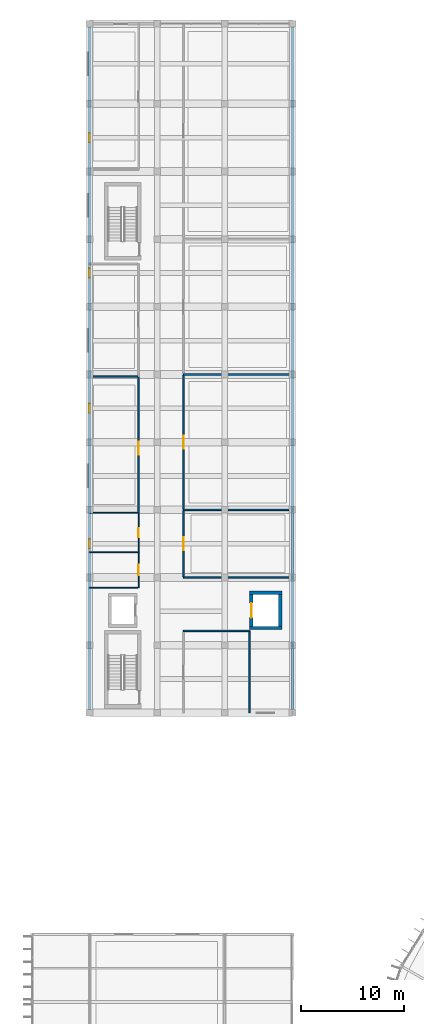
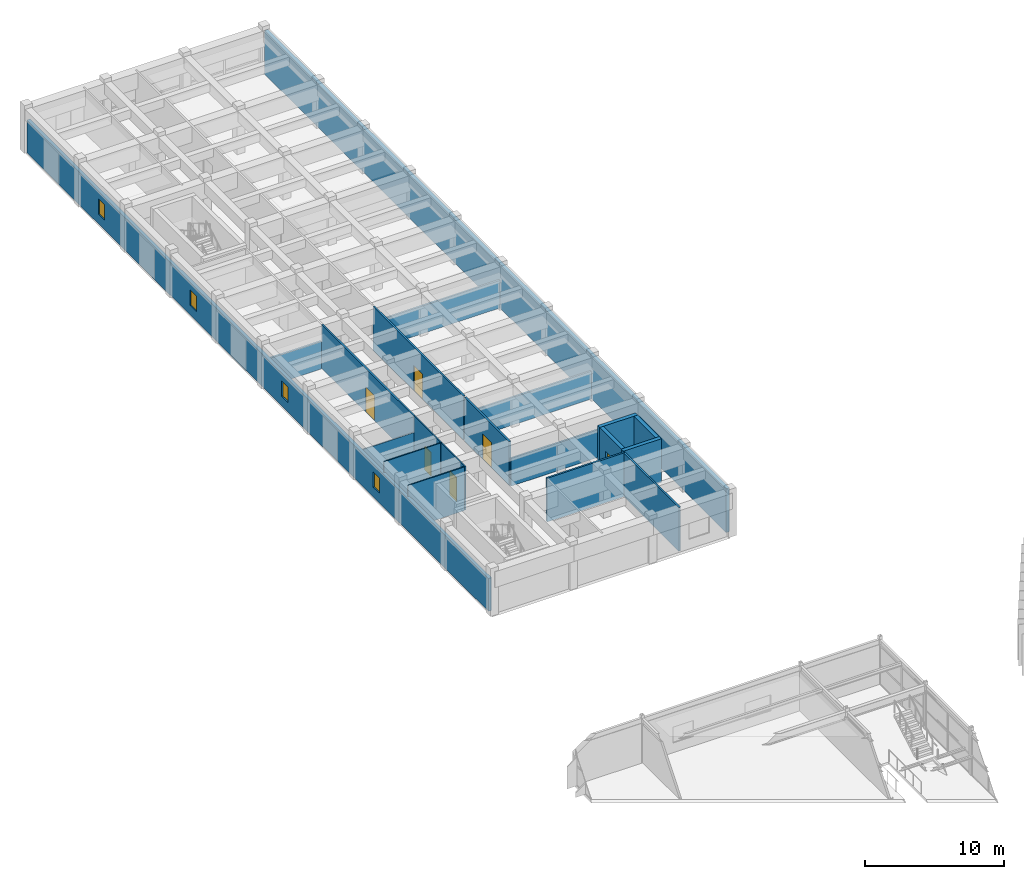
# One storey, part 128 of 147: 20 walls, 6 doors, 4 windows, 10 openings.
"""IFC4 building model written with IfcOpenShell, lengths in metres."""

from ifc_helpers import new_model, si_unit, direction, frame, frame_2d, origin, place, context, subcontext, project, spatial, rectangle, extrude, material, layer, layer_set, type_object, element, fill, save


model = new_model("IFC4")

# Units and contexts
model_context = context("Model", 3, precision=1e-05, world=origin(), true_north=direction((0.0, 1.0)))
body_context = subcontext(model_context, "Body", "Model", "MODEL_VIEW")
ifc_project = project(units=[si_unit("LENGTHUNIT", "METRE"), si_unit("AREAUNIT", "SQUARE_METRE"), si_unit("VOLUMEUNIT", "CUBIC_METRE"), si_unit("PLANEANGLEUNIT", "RADIAN"), si_unit("MASSUNIT", "GRAM", prefix="KILO")], contexts=[model_context])

# Site, building, storey
site_placement = place(None, origin())
site = spatial("IfcSite", under=ifc_project, at=site_placement, CompositionType="ELEMENT")
building_placement = place(site_placement, origin())
building = spatial("IfcBuilding", under=site, at=building_placement, Name="Karori Crest Natural Sciences Institute", CompositionType="ELEMENT")
storey_placement = place(building_placement, frame((0.0, 0.0, 9.10009765625)))
storey = spatial("IfcBuildingStorey", under=building, at=storey_placement, Name="L02", CompositionType="ELEMENT", Elevation=9.10009765625)

# Walls
ifc_material_1 = material(Name="Concrete 50 MPa", Category="concrete")
ifc_layer_1 = layer(ifc_material_1, 0.320068359375, Name="Concrete 50 MPa")
ifc_layer_set_1 = layer_set([ifc_layer_1], Name="Concrete 50 MPa")
wall_type_1 = type_object("IfcWallType", Name="IWT-03", PredefinedType="SHEAR", material=ifc_layer_set_1)
for number, where, z_axis, x_axis, name in (
    (1, (23.02001953125, 103.280029296875, 0.0), (0.0, 0.0, 1.0), (1.0, 0.0, 0.0), "Shear wall IW-0531"),
    (2, (23.02001953125, 106.719970703125, 0.0), (0.0, 0.0, 1.0), (1.0, 0.0, 0.0), "Shear wall IW-0532"),
):
    element("IfcWall", number, at=place(storey_placement, frame(where, z_axis=z_axis, x_axis=x_axis)), inside=storey, type_object=wall_type_1, Name=name, PredefinedType="SHEAR", context=body_context, shape_type="SweptSolid", body=[
        extrude(rectangle(XDim=3.159912109375, YDim=0.320068359375, at=frame_2d((1.580078125, 0.0))), origin(), (0.0, 0.0, 1.0), 3.849853515625),
    ])

# Wall, opening, door
wall_1_placement = place(storey_placement, frame((23.179931640625, 103.44189453125, 0.0), z_axis=(0.0, 0.0, 1.0), x_axis=(0.0, 1.0, 0.0)))
wall_1 = element("IfcWall", 3, at=wall_1_placement, inside=storey, type_object=wall_type_1, Name="Shear wall IW-0533", PredefinedType="SHEAR", context=body_context, shape_type="SweptSolid", body=[
    extrude(rectangle(XDim=3.1162109375, YDim=0.320068359375, at=frame_2d((1.55810546875, 0.0))), origin(), (0.0, 0.0, 1.0), 3.849853515625),
])
opening_1_placement = place(wall_1_placement, frame((0.85791015625, 0.0, 0.0)))
opening_1 = element("IfcOpeningElement", 4, at=opening_1_placement, cuts=wall_1, Name="Opening LD-0059", PredefinedType="OPENING", context=body_context, shape_type="SweptSolid", body=[
    extrude(rectangle(XDim=1.39990234375, YDim=2.25, at=frame_2d((0.699951171875, 1.125))), frame((0.0, 0.169921875, 0.0), z_axis=(0.0, -1.0, 0.0), x_axis=(1.0, 0.0, 0.0)), (0.0, 0.0, 1.0), 0.340087890625),
])
ifc_material_2 = material(Name="Stainless steel 316 and fire-rated timber", Category="steel")
door_type_1 = type_object("IfcDoorType", Name="LDT-03", OperationType="DOUBLE_DOOR_SLIDING", PredefinedType="DOOR", material=ifc_material_2)
door_1_placement = place(opening_1_placement, origin())
door_1 = element("IfcDoor", 5, at=door_1_placement, inside=storey, type_object=door_type_1, Name="Lift LG-01 landing door LD-0059", OperationType="DOUBLE_DOOR_SLIDING", OverallHeight=2.25, OverallWidth=1.39990234375, PredefinedType="DOOR", context=body_context, shape_type="SweptSolid", body=[
    extrude(rectangle(XDim=1.39990234375, YDim=2.25, at=frame_2d((0.699951171875, 1.125))), frame((0.0, 0.02490234375, 0.0), z_axis=(0.0, -1.0, 0.0), x_axis=(1.0, 0.0, 0.0)), (0.0, 0.0, 1.0), 0.050048828125),
])
fill(opening_1, door_1)

# Walls
wall_2_placement = place(storey_placement, frame((26.02001953125, 103.44189453125, 0.0), z_axis=(0.0, 0.0, 1.0), x_axis=(0.0, 1.0, 0.0)))
element("IfcWall", 6, at=wall_2_placement, inside=storey, type_object=wall_type_1, Name="Shear wall IW-0534", PredefinedType="SHEAR", context=body_context, shape_type="SweptSolid", body=[
    extrude(rectangle(XDim=3.1162109375, YDim=0.320068359375, at=frame_2d((1.55810546875, 0.0))), origin(), (0.0, 0.0, 1.0), 3.849853515625),
])
ifc_material_3 = material(Name="Clean-room insulated fire partition")
ifc_layer_2 = layer(ifc_material_3, 0.14990234375, Name="Clean-room insulated fire partition")
ifc_layer_set_2 = layer_set([ifc_layer_2], Name="Clean-room insulated fire partition")
wall_type_2 = type_object("IfcWallType", Name="IWT-06", PredefinedType="PARTITIONING", material=ifc_layer_set_2)
wall_3_placement = place(storey_placement, frame((7.39990234375, 127.800048828125, 0.0), z_axis=(0.0, 0.0, 1.0), x_axis=(1.0, 0.0, 0.0)))
element("IfcWall", 7, at=wall_3_placement, inside=storey, type_object=wall_type_2, Name="Partition wall IW-0963", PredefinedType="PARTITIONING", context=body_context, shape_type="SweptSolid", body=[
    extrude(rectangle(XDim=4.697998046875, YDim=0.14990234375, at=frame_2d((2.34912109375, 0.0))), origin(), (0.0, 0.0, 1.0), 2.434814453125),
])

# Wall, opening, door
wall_4_placement = place(storey_placement, frame((12.199951171875, 114.501953125, 0.0), z_axis=(0.0, 0.0, 1.0), x_axis=(0.0, 1.0, 0.0)))
wall_4 = element("IfcWall", 8, at=wall_4_placement, inside=storey, type_object=wall_type_2, Name="Partition wall IW-0964", PredefinedType="PARTITIONING", context=body_context, shape_type="SweptSolid", body=[
    extrude(rectangle(XDim=13.298095703125, YDim=0.14990234375, at=frame_2d((6.64892578125, 0.0))), origin(), (0.0, 0.0, 1.0), 3.849853515625),
])
opening_2_placement = place(wall_4_placement, frame((5.64892578125, 0.0, 0.0)))
opening_2 = element("IfcOpeningElement", 9, at=opening_2_placement, cuts=wall_4, Name="Opening ID-0254", PredefinedType="OPENING", context=body_context, shape_type="SweptSolid", body=[
    extrude(rectangle(XDim=1.300048828125, YDim=2.199951171875, at=frame_2d((0.64990234375, 1.10009765625))), frame((0.0, 0.0849609375, 0.0), z_axis=(0.0, -1.0, 0.0), x_axis=(1.0, 0.0, 0.0)), (0.0, 0.0, 1.0), 0.169921875),
])
door_type_2 = type_object("IfcDoorType", Name="IDT-04", OperationType="NOTDEFINED", PredefinedType="DOOR", material=ifc_material_2)
door_2_placement = place(opening_2_placement, origin())
door_2 = element("IfcDoor", 10, at=door_2_placement, inside=storey, type_object=door_type_2, Name="Clean-Room Gowning Airlock Suite door ID-0254", OperationType="SINGLE_SWING_RIGHT", OverallHeight=2.199951171875, OverallWidth=1.300048828125, PredefinedType="DOOR", context=body_context, shape_type="SweptSolid", body=[
    extrude(rectangle(XDim=1.300048828125, YDim=2.199951171875, at=frame_2d((0.64990234375, 1.10009765625))), frame((0.0, 0.02490234375, 0.0), z_axis=(0.0, -1.0, 0.0), x_axis=(1.0, 0.0, 0.0)), (0.0, 0.0, 1.0), 0.050048828125),
])
fill(opening_2, door_2)

# Walls
wall_5_placement = place(storey_placement, frame((16.550048828125, 103.0, 0.0), z_axis=(0.0, 0.0, 1.0), x_axis=(1.0, 0.0, 0.0)))
element("IfcWall", 11, at=wall_5_placement, inside=storey, type_object=wall_type_2, Name="Partition wall IW-0969", PredefinedType="PARTITIONING", context=body_context, shape_type="SweptSolid", body=[
    extrude(rectangle(XDim=6.449951171875, YDim=0.14990234375, at=frame_2d((3.22509765625, 0.0))), origin(), (0.0, 0.0, 1.0), 3.849853515625),
])
wall_6_placement = place(storey_placement, frame((23.0, 95.0, 0.0), z_axis=(0.0, 0.0, 1.0), x_axis=(0.0, 1.0, 0.0)))
element("IfcWall", 12, at=wall_6_placement, inside=storey, type_object=wall_type_2, Name="Partition wall IW-0971", PredefinedType="PARTITIONING", context=body_context, shape_type="SweptSolid", body=[
    extrude(rectangle(XDim=8.0, YDim=0.14990234375, at=frame_2d((4.0, 0.0))), origin(), (0.0, 0.0, 1.0), 3.849853515625),
])
for number, where, z_axis, x_axis, name in (
    (13, (16.550048828125, 108.199951171875, 0.0), (0.0, 0.0, 1.0), (1.0, 0.0, 0.0), "Partition wall IW-0972"),
    (14, (16.550048828125, 114.800048828125, 0.0), (0.0, 0.0, 1.0), (1.0, 0.0, 0.0), "Partition wall IW-0973"),
):
    element("IfcWall", number, at=place(storey_placement, frame(where, z_axis=z_axis, x_axis=x_axis)), inside=storey, type_object=wall_type_2, Name=name, PredefinedType="PARTITIONING", context=body_context, shape_type="SweptSolid", body=[
        extrude(rectangle(XDim=10.508056640625, YDim=0.14990234375, at=frame_2d((5.25390625, 0.0))), origin(), (0.0, 0.0, 1.0), 2.434814453125),
    ])

# Wall, opening, door
wall_7_placement = place(storey_placement, frame((16.550048828125, 108.277099609375, 0.0), z_axis=(0.0, 0.0, 1.0), x_axis=(0.0, 1.0, 0.0)))
wall_7 = element("IfcWall", 15, at=wall_7_placement, inside=storey, type_object=wall_type_2, Name="Partition wall IW-0974", PredefinedType="PARTITIONING", context=body_context, shape_type="SweptSolid", body=[
    extrude(rectangle(XDim=6.44580078125, YDim=0.14990234375, at=frame_2d((3.222900390625, 0.0))), origin(), (0.0, 0.0, 1.0), 3.849853515625),
])
opening_3_placement = place(wall_7_placement, frame((2.572998046875, 0.0, 0.0)))
opening_3 = element("IfcOpeningElement", 16, at=opening_3_placement, cuts=wall_7, Name="Opening ID-0258", PredefinedType="OPENING", context=body_context, shape_type="SweptSolid", body=[
    extrude(rectangle(XDim=1.300048828125, YDim=2.199951171875, at=frame_2d((0.64990234375, 1.10009765625))), frame((0.0, 0.0849609375, 0.0), z_axis=(0.0, -1.0, 0.0), x_axis=(1.0, 0.0, 0.0)), (0.0, 0.0, 1.0), 0.169921875),
])
door_3_placement = place(opening_3_placement, origin())
door_3 = element("IfcDoor", 17, at=door_3_placement, inside=storey, type_object=door_type_2, Name="Electron Microscopy Clean Room door ID-0258", OperationType="SINGLE_SWING_RIGHT", OverallHeight=2.199951171875, OverallWidth=1.300048828125, PredefinedType="DOOR", context=body_context, shape_type="SweptSolid", body=[
    extrude(rectangle(XDim=1.300048828125, YDim=2.199951171875, at=frame_2d((0.64990234375, 1.10009765625))), frame((0.0, 0.02490234375, 0.0), z_axis=(0.0, -1.0, 0.0), x_axis=(1.0, 0.0, 0.0)), (0.0, 0.0, 1.0), 0.050048828125),
])
fill(opening_3, door_3)

# Wall
wall_8_placement = place(storey_placement, frame((16.550048828125, 128.0, 0.0), z_axis=(0.0, 0.0, 1.0), x_axis=(1.0, 0.0, 0.0)))
element("IfcWall", 18, at=wall_8_placement, inside=storey, type_object=wall_type_2, Name="Partition wall IW-0975", PredefinedType="PARTITIONING", context=body_context, shape_type="SweptSolid", body=[
    extrude(rectangle(XDim=10.508056640625, YDim=0.14990234375, at=frame_2d((5.25390625, 0.0))), origin(), (0.0, 0.0, 1.0), 2.434814453125),
])

# Wall, opening, door
wall_9_placement = place(storey_placement, frame((16.550048828125, 114.876953125, 0.0), z_axis=(0.0, 0.0, 1.0), x_axis=(0.0, 1.0, 0.0)))
wall_9 = element("IfcWall", 19, at=wall_9_placement, inside=storey, type_object=wall_type_2, Name="Partition wall IW-0976", PredefinedType="PARTITIONING", context=body_context, shape_type="SweptSolid", body=[
    extrude(rectangle(XDim=13.046142578125, YDim=0.14990234375, at=frame_2d((6.52294921875, 0.0))), origin(), (0.0, 0.0, 1.0), 3.849853515625),
])
opening_4_placement = place(wall_9_placement, frame((5.873046875, 0.0, 0.0)))
opening_4 = element("IfcOpeningElement", 20, at=opening_4_placement, cuts=wall_9, Name="Opening ID-0259", PredefinedType="OPENING", context=body_context, shape_type="SweptSolid", body=[
    extrude(rectangle(XDim=1.300048828125, YDim=2.199951171875, at=frame_2d((0.64990234375, 1.10009765625))), frame((0.0, 0.0849609375, 0.0), z_axis=(0.0, -1.0, 0.0), x_axis=(1.0, 0.0, 0.0)), (0.0, 0.0, 1.0), 0.169921875),
])
door_4_placement = place(opening_4_placement, origin())
door_4 = element("IfcDoor", 21, at=door_4_placement, inside=storey, type_object=door_type_2, Name="ISO Class 6 Nanofabrication Clean Room door ID-0259", OperationType="SINGLE_SWING_LEFT", OverallHeight=2.199951171875, OverallWidth=1.300048828125, PredefinedType="DOOR", context=body_context, shape_type="SweptSolid", body=[
    extrude(rectangle(XDim=1.300048828125, YDim=2.199951171875, at=frame_2d((0.64990234375, 1.10009765625))), frame((0.0, 0.02490234375, 0.0), z_axis=(0.0, -1.0, 0.0), x_axis=(1.0, 0.0, 0.0)), (0.0, 0.0, 1.0), 0.050048828125),
])
fill(opening_4, door_4)

# Walls
ifc_material_4 = material(Name="Washroom moisture-resistant partition")
ifc_layer_3 = layer(ifc_material_4, 0.10009765625, Name="Washroom moisture-resistant partition")
ifc_layer_set_3 = layer_set([ifc_layer_3], Name="Washroom moisture-resistant partition")
wall_type_3 = type_object("IfcWallType", Name="IWT-09", PredefinedType="PARTITIONING", material=ifc_layer_set_3)
for number, where, z_axis, x_axis, name in (
    (22, (7.39990234375, 107.199951171875, 0.0), (0.0, 0.0, 1.0), (1.0, 0.0, 0.0), "Partition wall IW-0958"),
    (23, (7.39990234375, 110.64990234375, 0.0), (0.0, 0.0, 1.0), (1.0, 0.0, 0.0), "Partition wall IW-0959"),
):
    element("IfcWall", number, at=place(storey_placement, frame(where, z_axis=z_axis, x_axis=x_axis)), inside=storey, type_object=wall_type_3, Name=name, PredefinedType="PARTITIONING", context=body_context, shape_type="SweptSolid", body=[
        extrude(rectangle(XDim=4.697998046875, YDim=0.10009765625, at=frame_2d((2.34912109375, 0.0))), origin(), (0.0, 0.0, 1.0), 3.849853515625),
    ])

# Wall, opening, door
wall_10_placement = place(storey_placement, frame((12.199951171875, 107.199951171875, 0.0), z_axis=(0.0, 0.0, 1.0), x_axis=(0.0, 1.0, 0.0)))
wall_10 = element("IfcWall", 24, at=wall_10_placement, inside=storey, type_object=wall_type_3, Name="Partition wall IW-0960", PredefinedType="PARTITIONING", context=body_context, shape_type="SweptSolid", body=[
    extrude(rectangle(XDim=3.449951171875, YDim=0.10009765625, at=frame_2d((1.72509765625, 0.0))), origin(), (0.0, 0.0, 1.0), 3.849853515625),
])
opening_5_placement = place(wall_10_placement, frame((1.22509765625, 0.0, 0.0)))
opening_5 = element("IfcOpeningElement", 25, at=opening_5_placement, cuts=wall_10, Name="Opening ID-0252", PredefinedType="OPENING", context=body_context, shape_type="SweptSolid", body=[
    extrude(rectangle(XDim=1.0, YDim=2.10009765625, at=frame_2d((0.5, 1.050048828125))), frame((0.0, 0.06005859375, 0.0), z_axis=(0.0, -1.0, 0.0), x_axis=(1.0, 0.0, 0.0)), (0.0, 0.0, 1.0), 0.1201171875),
])
ifc_material_5 = material(Name="Anodised aluminium and acoustic timber", Category="wood")
door_type_3 = type_object("IfcDoorType", Name="IDT-09", OperationType="NOTDEFINED", PredefinedType="DOOR", material=ifc_material_5)
door_5_placement = place(opening_5_placement, origin())
door_5 = element("IfcDoor", 26, at=door_5_placement, inside=storey, type_object=door_type_3, Name="Accessible WC door ID-0252", OperationType="SINGLE_SWING_RIGHT", OverallHeight=2.10009765625, OverallWidth=1.0, PredefinedType="DOOR", context=body_context, shape_type="SweptSolid", body=[
    extrude(rectangle(XDim=1.0, YDim=2.10009765625, at=frame_2d((0.5, 1.050048828125))), frame((0.0, 0.02490234375, 0.0), z_axis=(0.0, -1.0, 0.0), x_axis=(1.0, 0.0, 0.0)), (0.0, 0.0, 1.0), 0.050048828125),
])
fill(opening_5, door_5)

# Wall
wall_11_placement = place(storey_placement, frame((7.39990234375, 114.5, 0.0), z_axis=(0.0, 0.0, 1.0), x_axis=(1.0, 0.0, 0.0)))
element("IfcWall", 27, at=wall_11_placement, inside=storey, type_object=wall_type_3, Name="Partition wall IW-0961", PredefinedType="PARTITIONING", context=body_context, shape_type="SweptSolid", body=[
    extrude(rectangle(XDim=4.697998046875, YDim=0.10009765625, at=frame_2d((2.34912109375, 0.0))), origin(), (0.0, 0.0, 1.0), 2.434814453125),
])

# Wall, opening, door
wall_12_placement = place(storey_placement, frame((12.199951171875, 110.652099609375, 0.0), z_axis=(0.0, 0.0, 1.0), x_axis=(0.0, 1.0, 0.0)))
wall_12 = element("IfcWall", 28, at=wall_12_placement, inside=storey, type_object=wall_type_3, Name="Partition wall IW-0962", PredefinedType="PARTITIONING", context=body_context, shape_type="SweptSolid", body=[
    extrude(rectangle(XDim=3.847900390625, YDim=0.10009765625, at=frame_2d((1.923828125, 0.0))), origin(), (0.0, 0.0, 1.0), 3.849853515625),
])
opening_6_placement = place(wall_12_placement, frame((1.48388671875, 0.0, 0.0)))
opening_6 = element("IfcOpeningElement", 29, at=opening_6_placement, cuts=wall_12, Name="Opening ID-0253", PredefinedType="OPENING", context=body_context, shape_type="SweptSolid", body=[
    extrude(rectangle(XDim=0.8798828125, YDim=2.080078125, at=frame_2d((0.43994140625, 1.0400390625))), frame((0.0, 0.06005859375, 0.0), z_axis=(0.0, -1.0, 0.0), x_axis=(1.0, 0.0, 0.0)), (0.0, 0.0, 1.0), 0.1201171875),
])
door_type_4 = type_object("IfcDoorType", Name="IDT-10", OperationType="NOTDEFINED", PredefinedType="DOOR", material=ifc_material_5)
door_6_placement = place(opening_6_placement, origin())
door_6 = element("IfcDoor", 30, at=door_6_placement, inside=storey, type_object=door_type_4, Name="Unisex Washroom WC door ID-0253", OperationType="SINGLE_SWING_LEFT", OverallHeight=2.080078125, OverallWidth=0.8798828125, PredefinedType="DOOR", context=body_context, shape_type="SweptSolid", body=[
    extrude(rectangle(XDim=0.8798828125, YDim=2.080078125, at=frame_2d((0.43994140625, 1.0400390625))), frame((0.0, 0.02490234375, 0.0), z_axis=(0.0, -1.0, 0.0), x_axis=(1.0, 0.0, 0.0)), (0.0, 0.0, 1.0), 0.050048828125),
])
fill(opening_6, door_6)

# Wall
ifc_material_6 = material(Name="Precast concrete 40 MPa", Category="concrete")
ifc_layer_4 = layer(ifc_material_6, 0.300048828125, Name="Precast concrete 40 MPa")
ifc_layer_set_4 = layer_set([ifc_layer_4], Name="Precast concrete 40 MPa")
wall_type_4 = type_object("IfcWallType", Name="WT-01", PredefinedType="SOLIDWALL", material=ifc_layer_set_4)
wall_13_placement = place(storey_placement, frame((27.199951171875, 161.876953125, 0.0), z_axis=(0.0, 0.0, 1.0), x_axis=(0.0, -1.0, 0.0)))
element("IfcWall", 31, at=wall_13_placement, inside=storey, type_object=wall_type_4, Name="Exterior wall EW-0165", PredefinedType="SOLIDWALL", context=body_context, shape_type="SweptSolid", body=[
    extrude(rectangle(XDim=66.553955078125, YDim=0.300048828125, at=frame_2d((33.27685546875, 0.0))), origin(), (0.0, 0.0, 1.0), 3.83984375),
])

# Wall, openings, windows
ifc_layer_5 = layer(ifc_material_6, 0.260009765625, Name="Precast concrete 40 MPa")
ifc_layer_set_5 = layer_set([ifc_layer_5], Name="Precast concrete 40 MPa")
wall_type_5 = type_object("IfcWallType", Name="WT-03", PredefinedType="SOLIDWALL", material=ifc_layer_set_5)
wall_14_placement = place(storey_placement, frame((7.39990234375, 95.322998046875, 0.0), z_axis=(0.0, 0.0, 1.0), x_axis=(0.0, 1.0, 0.0)))
wall_14 = element("IfcWall", 32, at=wall_14_placement, inside=storey, type_object=wall_type_5, Name="Exterior wall EW-0166", PredefinedType="SOLIDWALL", context=body_context, shape_type="SweptSolid", body=[
    extrude(rectangle(XDim=66.553955078125, YDim=0.260009765625, at=frame_2d((33.27685546875, 0.0))), origin(), (0.0, 0.0, 1.0), 2.885009765625),
])
opening_7_placement = place(wall_14_placement, frame((15.72705078125, 0.0, 0.85009765625)))
opening_7 = element("IfcOpeningElement", 33, at=opening_7_placement, cuts=wall_14, Name="Opening WN-0104", PredefinedType="OPENING", context=body_context, shape_type="SweptSolid", body=[
    extrude(rectangle(XDim=0.89990234375, YDim=1.35009765625, at=frame_2d((0.449951171875, 0.675048828125))), frame((0.0, 0.14013671875, 0.0), z_axis=(0.0, -1.0, 0.0), x_axis=(1.0, 0.0, 0.0)), (0.0, 0.0, 1.0), 0.280029296875),
])
opening_8_placement = place(wall_14_placement, frame((28.927001953125, 0.0, 0.85009765625)))
opening_8 = element("IfcOpeningElement", 34, at=opening_8_placement, cuts=wall_14, Name="Opening WN-0105", PredefinedType="OPENING", context=body_context, shape_type="SweptSolid", body=[
    extrude(rectangle(XDim=0.89990234375, YDim=1.35009765625, at=frame_2d((0.449951171875, 0.675048828125))), frame((0.0, 0.14013671875, 0.0), z_axis=(0.0, -1.0, 0.0), x_axis=(1.0, 0.0, 0.0)), (0.0, 0.0, 1.0), 0.280029296875),
])
opening_9_placement = place(wall_14_placement, frame((42.126953125, 0.0, 0.85009765625)))
opening_9 = element("IfcOpeningElement", 35, at=opening_9_placement, cuts=wall_14, Name="Opening WN-0106", PredefinedType="OPENING", context=body_context, shape_type="SweptSolid", body=[
    extrude(rectangle(XDim=0.89990234375, YDim=1.35009765625, at=frame_2d((0.449951171875, 0.675048828125))), frame((0.0, 0.14013671875, 0.0), z_axis=(0.0, -1.0, 0.0), x_axis=(1.0, 0.0, 0.0)), (0.0, 0.0, 1.0), 0.280029296875),
])
opening_10_placement = place(wall_14_placement, frame((55.326904296875, 0.0, 0.85009765625)))
opening_10 = element("IfcOpeningElement", 36, at=opening_10_placement, cuts=wall_14, Name="Opening WN-0107", PredefinedType="OPENING", context=body_context, shape_type="SweptSolid", body=[
    extrude(rectangle(XDim=0.89990234375, YDim=1.35009765625, at=frame_2d((0.449951171875, 0.675048828125))), frame((0.0, 0.14013671875, 0.0), z_axis=(0.0, -1.0, 0.0), x_axis=(1.0, 0.0, 0.0)), (0.0, 0.0, 1.0), 0.280029296875),
])
ifc_material_7 = material(Name="Double low-E laminated glass", Category="glass")
window_type = type_object("IfcWindowType", Name="WNT-17", PartitioningType="SINGLE_PANEL", PredefinedType="WINDOW", material=ifc_material_7)
window_1_placement = place(opening_7_placement, origin())
window_1 = element("IfcWindow", 37, at=window_1_placement, inside=storey, type_object=window_type, Name="Window WN-0104", OverallHeight=1.35009765625, OverallWidth=0.89990234375, PartitioningType="SINGLE_PANEL", PredefinedType="WINDOW", context=body_context, shape_type="SweptSolid", body=[
    extrude(rectangle(XDim=0.89990234375, YDim=1.35009765625, at=frame_2d((0.449951171875, 0.675048828125))), frame((0.0, 0.030029296875, 0.0), z_axis=(0.0, -1.0, 0.0), x_axis=(1.0, 0.0, 0.0)), (0.0, 0.0, 1.0), 0.06005859375),
])
fill(opening_7, window_1)
window_2_placement = place(opening_8_placement, origin())
window_2 = element("IfcWindow", 38, at=window_2_placement, inside=storey, type_object=window_type, Name="Window WN-0105", OverallHeight=1.35009765625, OverallWidth=0.89990234375, PartitioningType="SINGLE_PANEL", PredefinedType="WINDOW", context=body_context, shape_type="SweptSolid", body=[
    extrude(rectangle(XDim=0.89990234375, YDim=1.35009765625, at=frame_2d((0.449951171875, 0.675048828125))), frame((0.0, 0.030029296875, 0.0), z_axis=(0.0, -1.0, 0.0), x_axis=(1.0, 0.0, 0.0)), (0.0, 0.0, 1.0), 0.06005859375),
])
fill(opening_8, window_2)
window_3_placement = place(opening_9_placement, origin())
window_3 = element("IfcWindow", 39, at=window_3_placement, inside=storey, type_object=window_type, Name="Window WN-0106", OverallHeight=1.35009765625, OverallWidth=0.89990234375, PartitioningType="SINGLE_PANEL", PredefinedType="WINDOW", context=body_context, shape_type="SweptSolid", body=[
    extrude(rectangle(XDim=0.89990234375, YDim=1.35009765625, at=frame_2d((0.449951171875, 0.675048828125))), frame((0.0, 0.030029296875, 0.0), z_axis=(0.0, -1.0, 0.0), x_axis=(1.0, 0.0, 0.0)), (0.0, 0.0, 1.0), 0.06005859375),
])
fill(opening_9, window_3)
window_4_placement = place(opening_10_placement, origin())
window_4 = element("IfcWindow", 40, at=window_4_placement, inside=storey, type_object=window_type, Name="Window WN-0107", OverallHeight=1.35009765625, OverallWidth=0.89990234375, PartitioningType="SINGLE_PANEL", PredefinedType="WINDOW", context=body_context, shape_type="SweptSolid", body=[
    extrude(rectangle(XDim=0.89990234375, YDim=1.35009765625, at=frame_2d((0.449951171875, 0.675048828125))), frame((0.0, 0.030029296875, 0.0), z_axis=(0.0, -1.0, 0.0), x_axis=(1.0, 0.0, 0.0)), (0.0, 0.0, 1.0), 0.06005859375),
])
fill(opening_10, window_4)

save(model, "model.ifc")
